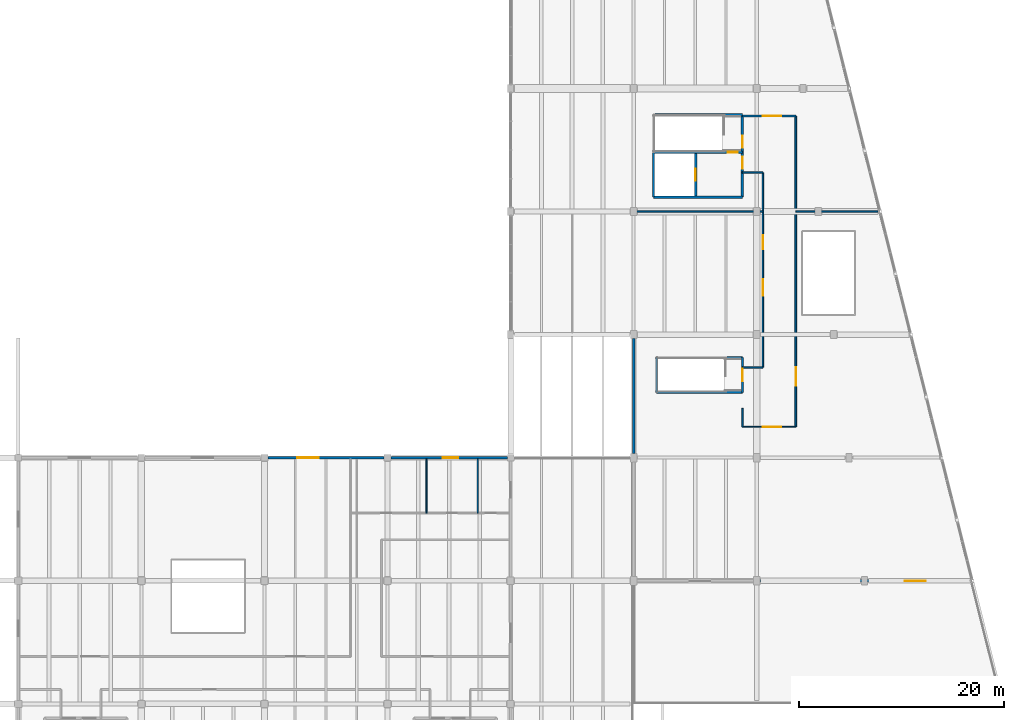
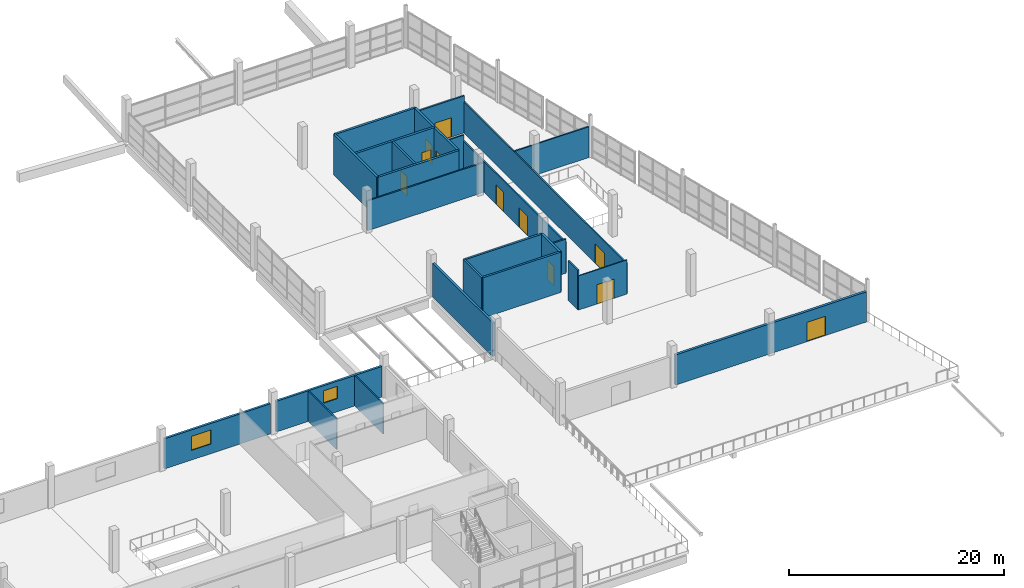
# One storey, part 42 of 49: 25 walls, 11 doors, 2 windows, 13 openings.
"""IFC4 building model written with IfcOpenShell, lengths in metres."""

from ifc_helpers import new_model, si_unit, direction, frame, frame_2d, origin, place, context, subcontext, project, spatial, rectangle, extrude, material, layer, layer_set, type_object, element, fill, save


model = new_model("IFC4")

# Units and contexts
model_context = context("Model", 3, precision=1e-05, world=origin(), true_north=direction((0.0, 1.0)))
body_context = subcontext(model_context, "Body", "Model", "MODEL_VIEW")
ifc_project = project(units=[si_unit("LENGTHUNIT", "METRE"), si_unit("AREAUNIT", "SQUARE_METRE"), si_unit("VOLUMEUNIT", "CUBIC_METRE"), si_unit("PLANEANGLEUNIT", "RADIAN"), si_unit("MASSUNIT", "GRAM", prefix="KILO")], contexts=[model_context])

# Site, building, storey
site_placement = place(None, origin())
site = spatial("IfcSite", under=ifc_project, at=site_placement, CompositionType="ELEMENT")
building_placement = place(site_placement, origin())
building = spatial("IfcBuilding", under=site, at=building_placement, Name="Kamomehara Wholesale Market", CompositionType="ELEMENT")
storey_placement = place(building_placement, frame((0.0, 0.0, 11.39990234375)))
storey = spatial("IfcBuildingStorey", under=building, at=storey_placement, Name="L02", CompositionType="ELEMENT", Elevation=11.39990234375)

# Wall, opening, window
ifc_material_1 = material(Name="Precast concrete Fc45 (C40/50)", Category="concrete")
ifc_layer_1 = layer(ifc_material_1, 0.239990234375)
ifc_layer_set_1 = layer_set([ifc_layer_1], Name="Precast concrete Fc45 (C40/50)")
wall_type_1 = type_object("IfcWallType", Name="EW-PC-240", PredefinedType="SOLIDWALL", material=ifc_layer_set_1)
wall_1_placement = place(storey_placement, frame((132.324951171875, 48.0, 0.0), z_axis=(0.0, 0.0, 1.0), x_axis=(1.0, 0.0, 0.0)))
wall_1 = element("IfcWall", 1, at=wall_1_placement, inside=storey, type_object=wall_type_1, Name="Exterior wall EW-PC-240 110", PredefinedType="SOLIDWALL", context=body_context, shape_type="SweptSolid", body=[
    extrude(rectangle(XDim=11.35009765625, YDim=0.239990234375, at=frame_2d((5.675048828125, 0.0))), origin(), (0.0, 0.0, 1.0), 3.43310546875),
])
opening_1_placement = place(wall_1_placement, frame((2.875, 0.0, 1.10009765625)))
opening_1 = element("IfcOpeningElement", 2, at=opening_1_placement, cuts=wall_1, Name="Opening WN-L02-027", PredefinedType="OPENING", context=body_context, shape_type="SweptSolid", body=[
    extrude(rectangle(XDim=2.10009765625, YDim=1.60009765625, at=frame_2d((1.050048828125, 0.800048828125))), frame((0.0, 0.134765625, 0.0), z_axis=(0.0, -1.0, 0.0), x_axis=(1.0, 0.0, 0.0)), (0.0, 0.0, 1.0), 0.269775390625),
])
ifc_material_2 = material(Name="Solar-control Low-E double glazing", Category="glass")
window_type_1 = type_object("IfcWindowType", Name="WIN-2100x1600", PartitioningType="SINGLE_PANEL", PredefinedType="WINDOW", material=ifc_material_2)
window_1_placement = place(opening_1_placement, origin())
window_1 = element("IfcWindow", 3, at=window_1_placement, inside=storey, type_object=window_type_1, Name="Exterior window WN-L02-027", OverallHeight=1.60009765625, OverallWidth=2.10009765625, PartitioningType="SINGLE_PANEL", PredefinedType="WINDOW", context=body_context, shape_type="SweptSolid", body=[
    extrude(rectangle(XDim=2.10009765625, YDim=1.60009765625, at=frame_2d((1.050048828125, 0.800048828125))), frame((0.0, 0.030029296875, 0.0), z_axis=(0.0, -1.0, 0.0), x_axis=(1.0, 0.0, 0.0)), (0.0, 0.0, 1.0), 0.06005859375),
])
fill(opening_1, window_1)

wall_2_placement = place(storey_placement, frame((144.324951171875, 48.0, 0.0), z_axis=(0.0, 0.0, 1.0), x_axis=(1.0, 0.0, 0.0)))
wall_2 = element("IfcWall", 4, at=wall_2_placement, inside=storey, type_object=wall_type_1, Name="Exterior wall EW-PC-240 111", PredefinedType="SOLIDWALL", context=body_context, shape_type="SweptSolid", body=[
    extrude(rectangle(XDim=11.35009765625, YDim=0.239990234375, at=frame_2d((5.675048828125, 0.0))), origin(), (0.0, 0.0, 1.0), 3.483154296875),
])
opening_2_placement = place(wall_2_placement, frame((5.074951171875, 0.0, 1.5)))
opening_2 = element("IfcOpeningElement", 5, at=opening_2_placement, cuts=wall_2, Name="Opening WN-L02-028", PredefinedType="OPENING", context=body_context, shape_type="SweptSolid", body=[
    extrude(rectangle(XDim=1.5, YDim=1.39990234375, at=frame_2d((0.75, 0.699951171875))), frame((0.0, 0.134765625, 0.0), z_axis=(0.0, -1.0, 0.0), x_axis=(1.0, 0.0, 0.0)), (0.0, 0.0, 1.0), 0.269775390625),
])
ifc_material_3 = material(Name="Solar-control Low-E double glazing", Category="glass")
window_type_2 = type_object("IfcWindowType", Name="WIN-1500x1400", PartitioningType="SINGLE_PANEL", PredefinedType="WINDOW", material=ifc_material_3)
window_2_placement = place(opening_2_placement, origin())
window_2 = element("IfcWindow", 6, at=window_2_placement, inside=storey, type_object=window_type_2, Name="Exterior window WN-L02-028", OverallHeight=1.39990234375, OverallWidth=1.5, PartitioningType="SINGLE_PANEL", PredefinedType="WINDOW", context=body_context, shape_type="SweptSolid", body=[
    extrude(rectangle(XDim=1.5, YDim=1.39990234375, at=frame_2d((0.75, 0.699951171875))), frame((0.0, 0.030029296875, 0.0), z_axis=(0.0, -1.0, 0.0), x_axis=(1.0, 0.0, 0.0)), (0.0, 0.0, 1.0), 0.06005859375),
])
fill(opening_2, window_2)

# Wall
wall_3_placement = place(storey_placement, frame((168.0, 48.39990234375, 0.0), z_axis=(0.0, 0.0, 1.0), x_axis=(0.0, 1.0, 0.0)))
element("IfcWall", 7, at=wall_3_placement, inside=storey, type_object=wall_type_1, Name="Exterior wall EW-PC-240 135", PredefinedType="SOLIDWALL", context=body_context, shape_type="SweptSolid", body=[
    extrude(rectangle(XDim=11.2001953125, YDim=0.239990234375, at=frame_2d((5.60009765625, 0.0))), origin(), (0.0, 0.0, 1.0), 3.830078125),
])

# Wall, opening, door
ifc_material_4 = material(Name="Precast concrete Fc45 (C40/50)", Category="concrete")
ifc_layer_2 = layer(ifc_material_4, 0.260009765625)
ifc_layer_set_2 = layer_set([ifc_layer_2], Name="Precast concrete Fc45 (C40/50)")
wall_type_2 = type_object("IfcWallType", Name="EW-PC-260", PredefinedType="SOLIDWALL", material=ifc_layer_set_2)
wall_4_placement = place(storey_placement, frame((200.85009765625, 36.0, 0.0), z_axis=(0.0, 0.0, 1.0), x_axis=(-1.0, 0.0, 0.0)))
wall_4 = element("IfcWall", 8, at=wall_4_placement, inside=storey, type_object=wall_type_2, Name="Exterior wall EW-PC-260 134", PredefinedType="SOLIDWALL", context=body_context, shape_type="SweptSolid", body=[
    extrude(rectangle(XDim=20.550048828125, YDim=0.260009765625, at=frame_2d((10.27490234375, 0.0))), origin(), (0.0, 0.0, 1.0), 3.43017578125),
])
opening_3_placement = place(wall_4_placement, frame((4.39990234375, 0.0, 0.0)))
opening_3 = element("IfcOpeningElement", 9, at=opening_3_placement, cuts=wall_4, Name="Opening TD-L02-V2180", PredefinedType="OPENING", context=body_context, shape_type="SweptSolid", body=[
    extrude(rectangle(XDim=2.0, YDim=2.199951171875, at=frame_2d((1.0, 1.10009765625))), frame((0.0, 0.14501953125, 0.0), z_axis=(0.0, -1.0, 0.0), x_axis=(1.0, 0.0, 0.0)), (0.0, 0.0, 1.0), 0.289794921875),
])
ifc_material_5 = material(Name="Anodised aluminium 6063-T5", Category="aluminium")
door_type_1 = type_object("IfcDoorType", Name="EDR-2000x2200", OperationType="NOTDEFINED", PredefinedType="DOOR", material=ifc_material_5)
door_1_placement = place(opening_3_placement, origin())
door_1 = element("IfcDoor", 10, at=door_1_placement, inside=storey, type_object=door_type_1, Name="Public viewing roof deck door TD-L02-V2180", OperationType="SINGLE_SWING_LEFT", OverallHeight=2.199951171875, OverallWidth=2.0, PredefinedType="DOOR", context=body_context, shape_type="SweptSolid", body=[
    extrude(rectangle(XDim=2.0, YDim=2.199951171875, at=frame_2d((1.0, 1.10009765625))), frame((0.0, 0.02490234375, 0.0), z_axis=(0.0, -1.0, 0.0), x_axis=(1.0, 0.0, 0.0)), (0.0, 0.0, 1.0), 0.050048828125),
])
fill(opening_3, door_1)

ifc_material_6 = material(Name="Gypsum board partition")
ifc_layer_3 = layer(ifc_material_6, 0.10009765625)
ifc_layer_set_3 = layer_set([ifc_layer_3], Name="Gypsum board partition")
wall_type_3 = type_object("IfcWallType", Name="IW-PRT-100", PredefinedType="PARTITIONING", material=ifc_layer_set_3)
wall_5_placement = place(storey_placement, frame((178.60009765625, 51.0, 0.0), z_axis=(0.0, 0.0, 1.0), x_axis=(1.0, 0.0, 0.0)))
wall_5 = element("IfcWall", 11, at=wall_5_placement, inside=storey, type_object=wall_type_3, Name="Interior wall IW-PRT-100 368", PredefinedType="PARTITIONING", context=body_context, shape_type="SweptSolid", body=[
    extrude(rectangle(XDim=5.199951171875, YDim=0.10009765625, at=frame_2d((2.60009765625, 0.0))), origin(), (0.0, 0.0, 1.0), 3.885009765625),
])
opening_4_placement = place(wall_5_placement, frame((2.0, 0.0, 0.0)))
opening_4 = element("IfcOpeningElement", 12, at=opening_4_placement, cuts=wall_5, Name="Opening ID-L02-228", PredefinedType="OPENING", context=body_context, shape_type="SweptSolid", body=[
    extrude(rectangle(XDim=1.800048828125, YDim=2.199951171875, at=frame_2d((0.89990234375, 1.10009765625))), frame((0.0, 0.06494140625, 0.0), z_axis=(0.0, -1.0, 0.0), x_axis=(1.0, 0.0, 0.0)), (0.0, 0.0, 1.0), 0.1298828125),
])
ifc_material_7 = material(Name="Steel SN400B", Category="steel")
door_type_2 = type_object("IfcDoorType", Name="IDR-FD-1800x2200", OperationType="NOTDEFINED", PredefinedType="DOOR", material=ifc_material_7)
door_2_placement = place(opening_4_placement, origin())
door_2 = element("IfcDoor", 13, at=door_2_placement, inside=storey, type_object=door_type_2, Name="Interior door ID-L02-228", OperationType="SINGLE_SWING_RIGHT", OverallHeight=2.199951171875, OverallWidth=1.800048828125, PredefinedType="DOOR", context=body_context, shape_type="SweptSolid", body=[
    extrude(rectangle(XDim=1.800048828125, YDim=2.199951171875, at=frame_2d((0.89990234375, 1.10009765625))), frame((0.0, 0.02490234375, 0.0), z_axis=(0.0, -1.0, 0.0), x_axis=(1.0, 0.0, 0.0)), (0.0, 0.0, 1.0), 0.050048828125),
])
fill(opening_4, door_2)

# Walls
ifc_material_8 = material(Name="Gypsum board partition")
ifc_layer_4 = layer(ifc_material_8, 0.125)
ifc_layer_set_4 = layer_set([ifc_layer_4], Name="Gypsum board partition")
wall_type_4 = type_object("IfcWallType", Name="IW-PRT-125", PredefinedType="PARTITIONING", material=ifc_layer_set_4)
for number, where, z_axis, x_axis, name in (
    (14, (147.800048828125, 42.60009765625, 0.0), (0.0, 0.0, 1.0), (0.0, 1.0, 0.0), "Interior wall IW-PRT-125 366"),
    (15, (152.800048828125, 42.60009765625, 0.0), (0.0, 0.0, 1.0), (0.0, 1.0, 0.0), "Interior wall IW-PRT-125 367"),
):
    element("IfcWall", number, at=place(storey_placement, frame(where, z_axis=z_axis, x_axis=x_axis)), inside=storey, type_object=wall_type_4, Name=name, PredefinedType="PARTITIONING", context=body_context, shape_type="SweptSolid", body=[
        extrude(rectangle(XDim=5.27978515625, YDim=0.125, at=frame_2d((2.639892578125, 0.0))), origin(), (0.0, 0.0, 1.0), 3.488037109375),
    ])
ifc_material_9 = material(Name="Gypsum board partition")
ifc_layer_5 = layer(ifc_material_9, 0.14990234375)
ifc_layer_set_5 = layer_set([ifc_layer_5], Name="Gypsum board partition")
wall_type_5 = type_object("IfcWallType", Name="IW-PRT-150", PredefinedType="PARTITIONING", material=ifc_layer_set_5)
wall_6_placement = place(storey_placement, frame((178.60009765625, 51.0, 0.0), z_axis=(0.0, 0.0, 1.0), x_axis=(0.0, 1.0, 0.0)))
element("IfcWall", 16, at=wall_6_placement, inside=storey, type_object=wall_type_5, Name="Interior wall IW-PRT-150 369", PredefinedType="PARTITIONING", context=body_context, shape_type="SweptSolid", body=[
    extrude(rectangle(XDim=1.800048828125, YDim=0.14990234375, at=frame_2d((0.89990234375, 0.0))), origin(), (0.0, 0.0, 1.0), 4.52001953125),
])
wall_7_placement = place(storey_placement, frame((178.60009765625, 56.800048828125, 0.0), z_axis=(0.0, 0.0, 1.0), x_axis=(1.0, 0.0, 0.0)))
element("IfcWall", 17, at=wall_7_placement, inside=storey, type_object=wall_type_5, Name="Interior wall IW-PRT-150 370", PredefinedType="PARTITIONING", context=body_context, shape_type="SweptSolid", body=[
    extrude(rectangle(XDim=2.0, YDim=0.14990234375, at=frame_2d((1.0, 0.0))), origin(), (0.0, 0.0, 1.0), 3.885009765625),
])

# Wall, openings, doors
wall_8_placement = place(storey_placement, frame((180.60009765625, 56.800048828125, 0.0), z_axis=(0.0, 0.0, 1.0), x_axis=(0.0, 1.0, 0.0)))
wall_8 = element("IfcWall", 18, at=wall_8_placement, inside=storey, type_object=wall_type_5, Name="Interior wall IW-PRT-150 371", PredefinedType="PARTITIONING", context=body_context, shape_type="SweptSolid", body=[
    extrude(rectangle(XDim=19.0, YDim=0.14990234375, at=frame_2d((9.5, 0.0))), origin(), (0.0, 0.0, 1.0), 3.505126953125),
])
opening_5_placement = place(wall_8_placement, frame((7.0, 0.0, 0.0)))
opening_5 = element("IfcOpeningElement", 19, at=opening_5_placement, cuts=wall_8, Name="Opening ID-L02-229", PredefinedType="OPENING", context=body_context, shape_type="SweptSolid", body=[
    extrude(rectangle(XDim=1.60009765625, YDim=2.199951171875, at=frame_2d((0.800048828125, 1.10009765625))), frame((0.0, 0.08984375, 0.0), z_axis=(0.0, -1.0, 0.0), x_axis=(1.0, 0.0, 0.0)), (0.0, 0.0, 1.0), 0.1796875),
])
opening_6_placement = place(wall_8_placement, frame((11.5, 0.0, 0.0)))
opening_6 = element("IfcOpeningElement", 20, at=opening_6_placement, cuts=wall_8, Name="Opening ID-L02-230", PredefinedType="OPENING", context=body_context, shape_type="SweptSolid", body=[
    extrude(rectangle(XDim=1.39990234375, YDim=2.199951171875, at=frame_2d((0.699951171875, 1.10009765625))), frame((0.0, 0.08984375, 0.0), z_axis=(0.0, -1.0, 0.0), x_axis=(1.0, 0.0, 0.0)), (0.0, 0.0, 1.0), 0.1796875),
])
ifc_material_10 = material(Name="Steel SN400B", Category="steel")
door_type_3 = type_object("IfcDoorType", Name="IDR-FD-1400x2200", OperationType="NOTDEFINED", PredefinedType="DOOR", material=ifc_material_10)
door_3_placement = place(opening_6_placement, origin())
door_3 = element("IfcDoor", 21, at=door_3_placement, inside=storey, type_object=door_type_3, Name="Interior door ID-L02-230", OperationType="SINGLE_SWING_RIGHT", OverallHeight=2.199951171875, OverallWidth=1.39990234375, PredefinedType="DOOR", context=body_context, shape_type="SweptSolid", body=[
    extrude(rectangle(XDim=1.39990234375, YDim=2.199951171875, at=frame_2d((0.699951171875, 1.10009765625))), frame((0.0, 0.02490234375, 0.0), z_axis=(0.0, -1.0, 0.0), x_axis=(1.0, 0.0, 0.0)), (0.0, 0.0, 1.0), 0.050048828125),
])
fill(opening_6, door_3)
ifc_material_11 = material(Name="Steel SN400B", Category="steel")
door_type_4 = type_object("IfcDoorType", Name="IDR-FD-1600x2200", OperationType="NOTDEFINED", PredefinedType="DOOR", material=ifc_material_11)
door_4_placement = place(opening_5_placement, origin())
door_4 = element("IfcDoor", 22, at=door_4_placement, inside=storey, type_object=door_type_4, Name="Interior door ID-L02-229", OperationType="SINGLE_SWING_LEFT", OverallHeight=2.199951171875, OverallWidth=1.60009765625, PredefinedType="DOOR", context=body_context, shape_type="SweptSolid", body=[
    extrude(rectangle(XDim=1.60009765625, YDim=2.199951171875, at=frame_2d((0.800048828125, 1.10009765625))), frame((0.0, 0.02490234375, 0.0), z_axis=(0.0, -1.0, 0.0), x_axis=(1.0, 0.0, 0.0)), (0.0, 0.0, 1.0), 0.050048828125),
])
fill(opening_5, door_4)

# Wall
wall_9_placement = place(storey_placement, frame((178.60009765625, 75.800048828125, 0.0), z_axis=(0.0, 0.0, 1.0), x_axis=(1.0, 0.0, 0.0)))
element("IfcWall", 23, at=wall_9_placement, inside=storey, type_object=wall_type_5, Name="Interior wall IW-PRT-150 372", PredefinedType="PARTITIONING", context=body_context, shape_type="SweptSolid", body=[
    extrude(rectangle(XDim=2.0, YDim=0.14990234375, at=frame_2d((1.0, 0.0))), origin(), (0.0, 0.0, 1.0), 4.203125),
])

# Wall, opening, door
wall_10_placement = place(storey_placement, frame((183.800048828125, 51.0, 0.0), z_axis=(0.0, 0.0, 1.0), x_axis=(0.0, 1.0, 0.0)))
wall_10 = element("IfcWall", 24, at=wall_10_placement, inside=storey, type_object=wall_type_5, Name="Interior wall IW-PRT-150 374", PredefinedType="PARTITIONING", context=body_context, shape_type="SweptSolid", body=[
    extrude(rectangle(XDim=30.300048828125, YDim=0.14990234375, at=frame_2d((15.14990234375, 0.0))), origin(), (0.0, 0.0, 1.0), 3.505126953125),
])
opening_7_placement = place(wall_10_placement, frame((4.0, 0.0, 0.0)))
opening_7 = element("IfcOpeningElement", 25, at=opening_7_placement, cuts=wall_10, Name="Opening ID-L02-232", PredefinedType="OPENING", context=body_context, shape_type="SweptSolid", body=[
    extrude(rectangle(XDim=1.800048828125, YDim=2.199951171875, at=frame_2d((0.89990234375, 1.10009765625))), frame((0.0, 0.08984375, 0.0), z_axis=(0.0, -1.0, 0.0), x_axis=(1.0, 0.0, 0.0)), (0.0, 0.0, 1.0), 0.1796875),
])
door_5_placement = place(opening_7_placement, origin())
door_5 = element("IfcDoor", 26, at=door_5_placement, inside=storey, type_object=door_type_2, Name="Interior door ID-L02-232", OperationType="SINGLE_SWING_RIGHT", OverallHeight=2.199951171875, OverallWidth=1.800048828125, PredefinedType="DOOR", context=body_context, shape_type="SweptSolid", body=[
    extrude(rectangle(XDim=1.800048828125, YDim=2.199951171875, at=frame_2d((0.89990234375, 1.10009765625))), frame((0.0, 0.02490234375, 0.0), z_axis=(0.0, -1.0, 0.0), x_axis=(1.0, 0.0, 0.0)), (0.0, 0.0, 1.0), 0.050048828125),
])
fill(opening_7, door_5)

# Walls
wall_11_placement = place(storey_placement, frame((168.0, 72.0, 0.0), z_axis=(0.0, 0.0, 1.0), x_axis=(1.0, 0.0, 0.0)))
element("IfcWall", 27, at=wall_11_placement, inside=storey, type_object=wall_type_5, Name="Interior wall IW-PRT-150 375", PredefinedType="PARTITIONING", context=body_context, shape_type="SweptSolid", body=[
    extrude(rectangle(XDim=12.60009765625, YDim=0.14990234375, at=frame_2d((6.300048828125, 0.0))), origin(), (0.0, 0.0, 1.0), 3.385009765625),
])
wall_12_placement = place(storey_placement, frame((183.800048828125, 72.0, 0.0), z_axis=(0.0, 0.0, 1.0), x_axis=(1.0, 0.0, 0.0)))
element("IfcWall", 28, at=wall_12_placement, inside=storey, type_object=wall_type_5, Name="Interior wall IW-PRT-150 376", PredefinedType="PARTITIONING", context=body_context, shape_type="SweptSolid", body=[
    extrude(rectangle(XDim=8.02001953125, YDim=0.14990234375, at=frame_2d((4.010009765625, 0.0))), origin(), (0.0, 0.0, 1.0), 3.505126953125),
])

# Wall, opening, door
ifc_material_12 = material(Name="Gypsum board partition")
ifc_layer_6 = layer(ifc_material_12, 0.175048828125)
ifc_layer_set_6 = layer_set([ifc_layer_6], Name="Gypsum board partition")
wall_type_6 = type_object("IfcWallType", Name="IW-PRT-175", PredefinedType="PARTITIONING", material=ifc_layer_set_6)
wall_13_placement = place(storey_placement, frame((178.60009765625, 81.300048828125, 0.0), z_axis=(0.0, 0.0, 1.0), x_axis=(1.0, 0.0, 0.0)))
wall_13 = element("IfcWall", 29, at=wall_13_placement, inside=storey, type_object=wall_type_6, Name="Interior wall IW-PRT-175 373", PredefinedType="PARTITIONING", context=body_context, shape_type="SweptSolid", body=[
    extrude(rectangle(XDim=5.199951171875, YDim=0.175048828125, at=frame_2d((2.60009765625, 0.0))), origin(), (0.0, 0.0, 1.0), 4.203125),
])
opening_8_placement = place(wall_13_placement, frame((2.0, 0.0, 0.0)))
opening_8 = element("IfcOpeningElement", 30, at=opening_8_placement, cuts=wall_13, Name="Opening ID-L02-231", PredefinedType="OPENING", context=body_context, shape_type="SweptSolid", body=[
    extrude(rectangle(XDim=1.800048828125, YDim=2.199951171875, at=frame_2d((0.89990234375, 1.10009765625))), frame((0.0, 0.1025390625, 0.0), z_axis=(0.0, -1.0, 0.0), x_axis=(1.0, 0.0, 0.0)), (0.0, 0.0, 1.0), 0.204833984375),
])
door_6_placement = place(opening_8_placement, origin())
door_6 = element("IfcDoor", 31, at=door_6_placement, inside=storey, type_object=door_type_2, Name="Interior door ID-L02-231", OperationType="SINGLE_SWING_LEFT", OverallHeight=2.199951171875, OverallWidth=1.800048828125, PredefinedType="DOOR", context=body_context, shape_type="SweptSolid", body=[
    extrude(rectangle(XDim=1.800048828125, YDim=2.199951171875, at=frame_2d((0.89990234375, 1.10009765625))), frame((0.0, 0.02490234375, 0.0), z_axis=(0.0, -1.0, 0.0), x_axis=(1.0, 0.0, 0.0)), (0.0, 0.0, 1.0), 0.050048828125),
])
fill(opening_8, door_6)

ifc_material_13 = material(Name="Concrete Fc36 (C35/45)", Category="concrete")
ifc_layer_7 = layer(ifc_material_13, 0.219970703125)
ifc_layer_set_7 = layer_set([ifc_layer_7], Name="Concrete Fc36 (C35/45)")
wall_type_7 = type_object("IfcWallType", Name="IW-SHR-220", PredefinedType="SHEAR", material=ifc_layer_set_7)
wall_14_placement = place(storey_placement, frame((174.0400390625, 73.52001953125, 0.0), z_axis=(0.0, 0.0, 1.0), x_axis=(0.0, 1.0, 0.0)))
wall_14 = element("IfcWall", 32, at=wall_14_placement, inside=storey, type_object=wall_type_7, Name="Interior wall IW-SHR-220 150", PredefinedType="SHEAR", context=body_context, shape_type="SweptSolid", body=[
    extrude(rectangle(XDim=4.139892578125, YDim=0.219970703125, at=frame_2d((2.06982421875, 0.0))), origin(), (0.0, 0.0, 1.0), 4.590087890625),
])
opening_9_placement = place(wall_14_placement, frame((1.469970703125, 0.0, 0.0)))
opening_9 = element("IfcOpeningElement", 33, at=opening_9_placement, cuts=wall_14, Name="Opening LD-LP-05-L02", PredefinedType="OPENING", context=body_context, shape_type="SweptSolid", body=[
    extrude(rectangle(XDim=1.199951171875, YDim=2.199951171875, at=frame_2d((0.60009765625, 1.10009765625))), frame((0.0, 0.125, 0.0), z_axis=(0.0, -1.0, 0.0), x_axis=(1.0, 0.0, 0.0)), (0.0, 0.0, 1.0), 0.249755859375),
])
ifc_material_14 = material(Name="Steel SN400B", Category="steel")
door_type_5 = type_object("IfcDoorType", Name="LDR-PAX-1200x2200", OperationType="DOUBLE_DOOR_SLIDING", PredefinedType="DOOR", material=ifc_material_14)
door_7_placement = place(opening_9_placement, origin())
door_7 = element("IfcDoor", 34, at=door_7_placement, inside=storey, type_object=door_type_5, Name="Lift sliding landing door LD-LP-05-L02", OperationType="DOUBLE_DOOR_SLIDING", OverallHeight=2.199951171875, OverallWidth=1.199951171875, PredefinedType="DOOR", context=body_context, shape_type="SweptSolid", body=[
    extrude(rectangle(XDim=1.199951171875, YDim=2.199951171875, at=frame_2d((0.60009765625, 1.10009765625))), frame((0.0, 0.02490234375, 0.0), z_axis=(0.0, -1.0, 0.0), x_axis=(1.0, 0.0, 0.0)), (0.0, 0.0, 1.0), 0.050048828125),
])
fill(opening_9, door_7)

# Walls
wall_15_placement = place(storey_placement, frame((170.219970703125, 57.760009765625, 0.0), z_axis=(0.0, 0.0, 1.0), x_axis=(0.0, -1.0, 0.0)))
element("IfcWall", 35, at=wall_15_placement, inside=storey, type_object=wall_type_7, Name="Interior wall IW-SHR-220 159", PredefinedType="SHEAR", context=body_context, shape_type="SweptSolid", body=[
    extrude(rectangle(XDim=3.389892578125, YDim=0.219970703125, at=frame_2d((1.69482421875, 0.0))), origin(), (0.0, 0.0, 1.0), 4.590087890625),
])
wall_16_placement = place(storey_placement, frame((170.219970703125, 54.3701171875, 0.0), z_axis=(0.0, 0.0, 1.0), x_axis=(1.0, 0.0, 0.0)))
element("IfcWall", 36, at=wall_16_placement, inside=storey, type_object=wall_type_7, Name="Interior wall IW-SHR-220 160", PredefinedType="SHEAR", context=body_context, shape_type="SweptSolid", body=[
    extrude(rectangle(XDim=8.380126953125, YDim=0.219970703125, at=frame_2d((4.18994140625, 0.0))), origin(), (0.0, 0.0, 1.0), 4.590087890625),
])

# Wall, opening, door
wall_17_placement = place(storey_placement, frame((178.60009765625, 54.3701171875, 0.0), z_axis=(0.0, 0.0, 1.0), x_axis=(0.0, 1.0, 0.0)))
wall_17 = element("IfcWall", 37, at=wall_17_placement, inside=storey, type_object=wall_type_7, Name="Interior wall IW-SHR-220 161", PredefinedType="SHEAR", context=body_context, shape_type="SweptSolid", body=[
    extrude(rectangle(XDim=3.389892578125, YDim=0.219970703125, at=frame_2d((1.69482421875, 0.0))), origin(), (0.0, 0.0, 1.0), 4.590087890625),
])
opening_10_placement = place(wall_17_placement, frame((1.090087890625, 0.0, 0.0)))
opening_10 = element("IfcOpeningElement", 38, at=opening_10_placement, cuts=wall_17, Name="Opening FD-ST-10-L02", PredefinedType="OPENING", context=body_context, shape_type="SweptSolid", body=[
    extrude(rectangle(XDim=1.199951171875, YDim=2.199951171875, at=frame_2d((0.60009765625, 1.10009765625))), frame((0.0, 0.125, 0.0), z_axis=(0.0, -1.0, 0.0), x_axis=(1.0, 0.0, 0.0)), (0.0, 0.0, 1.0), 0.249755859375),
])
ifc_material_15 = material(Name="Steel SN400B", Category="steel")
door_type_6 = type_object("IfcDoorType", Name="IDR-FD-1200x2200", OperationType="NOTDEFINED", PredefinedType="DOOR", material=ifc_material_15)
door_8_placement = place(opening_10_placement, origin())
door_8 = element("IfcDoor", 39, at=door_8_placement, inside=storey, type_object=door_type_6, Name="Stair fire door FD-ST-10-L02", OperationType="SINGLE_SWING_RIGHT", OverallHeight=2.199951171875, OverallWidth=1.199951171875, PredefinedType="DOOR", context=body_context, shape_type="SweptSolid", body=[
    extrude(rectangle(XDim=1.199951171875, YDim=2.199951171875, at=frame_2d((0.60009765625, 1.10009765625))), frame((0.0, 0.02490234375, 0.0), z_axis=(0.0, -1.0, 0.0), x_axis=(1.0, 0.0, 0.0)), (0.0, 0.0, 1.0), 0.050048828125),
])
fill(opening_10, door_8)

# Walls
wall_18_placement = place(storey_placement, frame((178.60009765625, 57.760009765625, 0.0), z_axis=(0.0, 0.0, 1.0), x_axis=(-1.0, 0.0, 0.0)))
element("IfcWall", 40, at=wall_18_placement, inside=storey, type_object=wall_type_7, Name="Interior wall IW-SHR-220 162", PredefinedType="SHEAR", context=body_context, shape_type="SweptSolid", body=[
    extrude(rectangle(XDim=8.380126953125, YDim=0.219970703125, at=frame_2d((4.18994140625, 0.0))), origin(), (0.0, 0.0, 1.0), 4.590087890625),
])
ifc_material_16 = material(Name="Concrete Fc36 (C35/45)", Category="concrete")
ifc_layer_8 = layer(ifc_material_16, 0.239990234375)
ifc_layer_set_8 = layer_set([ifc_layer_8], Name="Concrete Fc36 (C35/45)")
wall_type_8 = type_object("IfcWallType", Name="IW-SHR-240", PredefinedType="SHEAR", material=ifc_layer_set_8)
wall_19_placement = place(storey_placement, frame((178.60009765625, 81.419921875, 0.0), z_axis=(0.0, 0.0, 1.0), x_axis=(-1.0, 0.0, 0.0)))
element("IfcWall", 41, at=wall_19_placement, inside=storey, type_object=wall_type_8, Name="Interior wall IW-SHR-240 145", PredefinedType="SHEAR", context=body_context, shape_type="SweptSolid", body=[
    extrude(rectangle(XDim=8.670166015625, YDim=0.239990234375, at=frame_2d((4.3349609375, 0.0))), origin(), (0.0, 0.0, 1.0), 4.590087890625),
])
wall_20_placement = place(storey_placement, frame((169.929931640625, 81.419921875, 0.0), z_axis=(0.0, 0.0, 1.0), x_axis=(0.0, -1.0, 0.0)))
element("IfcWall", 42, at=wall_20_placement, inside=storey, type_object=wall_type_8, Name="Interior wall IW-SHR-240 146", PredefinedType="SHEAR", context=body_context, shape_type="SweptSolid", body=[
    extrude(rectangle(XDim=8.02001953125, YDim=0.239990234375, at=frame_2d((4.010009765625, 0.0))), origin(), (0.0, 0.0, 1.0), 4.590087890625),
])
wall_21_placement = place(storey_placement, frame((169.929931640625, 73.39990234375, 0.0), z_axis=(0.0, 0.0, 1.0), x_axis=(1.0, 0.0, 0.0)))
element("IfcWall", 43, at=wall_21_placement, inside=storey, type_object=wall_type_8, Name="Interior wall IW-SHR-240 147", PredefinedType="SHEAR", context=body_context, shape_type="SweptSolid", body=[
    extrude(rectangle(XDim=8.670166015625, YDim=0.239990234375, at=frame_2d((4.3349609375, 0.0))), origin(), (0.0, 0.0, 1.0), 4.590087890625),
])

# Wall, opening, door
wall_22_placement = place(storey_placement, frame((169.929931640625, 77.780029296875, 0.0), z_axis=(0.0, 0.0, 1.0), x_axis=(1.0, 0.0, 0.0)))
wall_22 = element("IfcWall", 44, at=wall_22_placement, inside=storey, type_object=wall_type_8, Name="Interior wall IW-SHR-240 148", PredefinedType="SHEAR", context=body_context, shape_type="SweptSolid", body=[
    extrude(rectangle(XDim=8.670166015625, YDim=0.239990234375, at=frame_2d((4.3349609375, 0.0))), origin(), (0.0, 0.0, 1.0), 4.590087890625),
])
opening_11_placement = place(wall_22_placement, frame((7.219970703125, 0.0, 0.0)))
opening_11 = element("IfcOpeningElement", 45, at=opening_11_placement, cuts=wall_22, Name="Opening FD-L02-C9I", PredefinedType="OPENING", context=body_context, shape_type="SweptSolid", body=[
    extrude(rectangle(XDim=1.0, YDim=2.199951171875, at=frame_2d((0.5, 1.10009765625))), frame((0.0, 0.134765625, 0.0), z_axis=(0.0, -1.0, 0.0), x_axis=(1.0, 0.0, 0.0)), (0.0, 0.0, 1.0), 0.269775390625),
])
ifc_material_17 = material(Name="Anodised aluminium 6063-T5", Category="aluminium")
door_type_7 = type_object("IfcDoorType", Name="IDR-RM-1000x2200", OperationType="NOTDEFINED", PredefinedType="DOOR", material=ifc_material_17)
door_9_placement = place(opening_11_placement, origin())
door_9 = element("IfcDoor", 46, at=door_9_placement, inside=storey, type_object=door_type_7, Name="Core lobby-stair fire door FD-L02-C9I", OperationType="SINGLE_SWING_LEFT", OverallHeight=2.199951171875, OverallWidth=1.0, PredefinedType="DOOR", context=body_context, shape_type="SweptSolid", body=[
    extrude(rectangle(XDim=1.0, YDim=2.199951171875, at=frame_2d((0.5, 1.10009765625))), frame((0.0, 0.02490234375, 0.0), z_axis=(0.0, -1.0, 0.0), x_axis=(1.0, 0.0, 0.0)), (0.0, 0.0, 1.0), 0.050048828125),
])
fill(opening_11, door_9)

# Wall, openings, doors
wall_23_placement = place(storey_placement, frame((178.60009765625, 73.39990234375, 0.0), z_axis=(0.0, 0.0, 1.0), x_axis=(0.0, 1.0, 0.0)))
wall_23 = element("IfcWall", 47, at=wall_23_placement, inside=storey, type_object=wall_type_8, Name="Interior wall IW-SHR-240 149", PredefinedType="SHEAR", context=body_context, shape_type="SweptSolid", body=[
    extrude(rectangle(XDim=8.02001953125, YDim=0.239990234375, at=frame_2d((4.010009765625, 0.0))), origin(), (0.0, 0.0, 1.0), 4.590087890625),
])
opening_12_placement = place(wall_23_placement, frame((2.75, 0.0, 0.0)))
opening_12 = element("IfcOpeningElement", 48, at=opening_12_placement, cuts=wall_23, Name="Opening FD-L02-C9L", PredefinedType="OPENING", context=body_context, shape_type="SweptSolid", body=[
    extrude(rectangle(XDim=1.199951171875, YDim=2.199951171875, at=frame_2d((0.60009765625, 1.10009765625))), frame((0.0, 0.134765625, 0.0), z_axis=(0.0, -1.0, 0.0), x_axis=(1.0, 0.0, 0.0)), (0.0, 0.0, 1.0), 0.269775390625),
])
opening_13_placement = place(wall_23_placement, frame((4.800048828125, 0.0, 0.0)))
opening_13 = element("IfcOpeningElement", 49, at=opening_13_placement, cuts=wall_23, Name="Opening FD-L02-C9S", PredefinedType="OPENING", context=body_context, shape_type="SweptSolid", body=[
    extrude(rectangle(XDim=1.199951171875, YDim=2.199951171875, at=frame_2d((0.60009765625, 1.10009765625))), frame((0.0, 0.134765625, 0.0), z_axis=(0.0, -1.0, 0.0), x_axis=(1.0, 0.0, 0.0)), (0.0, 0.0, 1.0), 0.269775390625),
])
door_10_placement = place(opening_12_placement, origin())
door_10 = element("IfcDoor", 50, at=door_10_placement, inside=storey, type_object=door_type_6, Name="Lift lobby fire door FD-L02-C9L", OperationType="SINGLE_SWING_LEFT", OverallHeight=2.199951171875, OverallWidth=1.199951171875, PredefinedType="DOOR", context=body_context, shape_type="SweptSolid", body=[
    extrude(rectangle(XDim=1.199951171875, YDim=2.199951171875, at=frame_2d((0.60009765625, 1.10009765625))), frame((0.0, 0.02490234375, 0.0), z_axis=(0.0, -1.0, 0.0), x_axis=(1.0, 0.0, 0.0)), (0.0, 0.0, 1.0), 0.050048828125),
])
fill(opening_12, door_10)
door_11_placement = place(opening_13_placement, origin())
door_11 = element("IfcDoor", 51, at=door_11_placement, inside=storey, type_object=door_type_6, Name="Stair fire door FD-L02-C9S", OperationType="SINGLE_SWING_RIGHT", OverallHeight=2.199951171875, OverallWidth=1.199951171875, PredefinedType="DOOR", context=body_context, shape_type="SweptSolid", body=[
    extrude(rectangle(XDim=1.199951171875, YDim=2.199951171875, at=frame_2d((0.60009765625, 1.10009765625))), frame((0.0, 0.02490234375, 0.0), z_axis=(0.0, -1.0, 0.0), x_axis=(1.0, 0.0, 0.0)), (0.0, 0.0, 1.0), 0.050048828125),
])
fill(opening_13, door_11)

save(model, "model.ifc")
